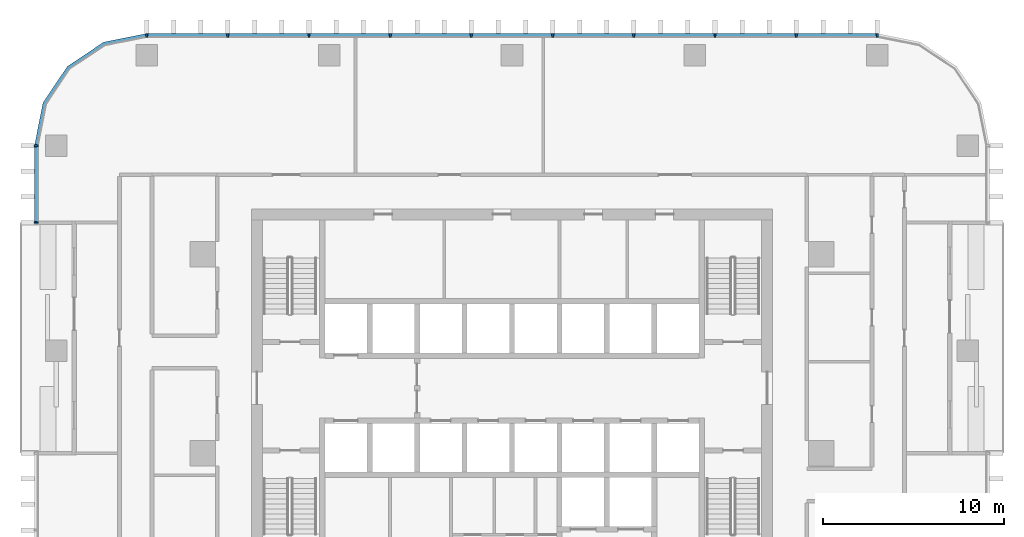
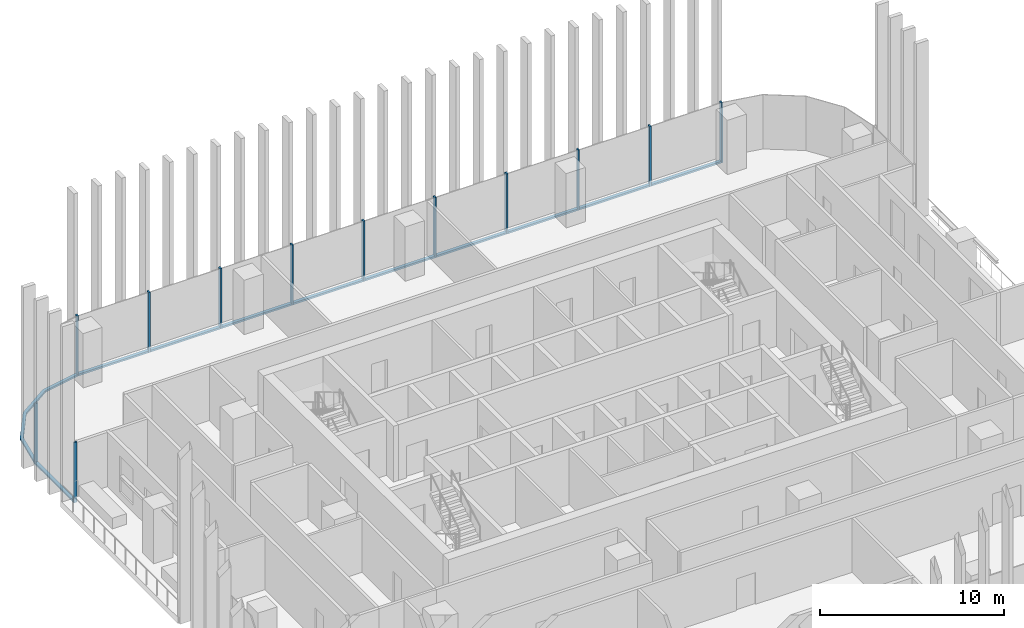
# One storey, part 4 of 15: 23 members, 3 elements without a shape of their own.
"""IFC4 building model written with IfcOpenShell, lengths in metres."""

from ifc_helpers import new_model, si_unit, direction, frame, origin, origin_2d, place, context, subcontext, project, spatial, polyline, rectangle, outline, extrude, material, material_profile, profile_set, type_object, element, aggregate, save


model = new_model("IFC4")

# Units and contexts
model_context = context("Model", 3, precision=1e-05, world=origin(), true_north=direction((0.0, 1.0)))
body_context = subcontext(model_context, "Body", "Model", "MODEL_VIEW")
ifc_project = project(units=[si_unit("LENGTHUNIT", "METRE"), si_unit("AREAUNIT", "SQUARE_METRE"), si_unit("VOLUMEUNIT", "CUBIC_METRE"), si_unit("PLANEANGLEUNIT", "RADIAN"), si_unit("MASSUNIT", "GRAM", prefix="KILO")], contexts=[model_context])

# Site, building, storey
site_placement = place(None, origin())
site = spatial("IfcSite", under=ifc_project, at=site_placement, CompositionType="ELEMENT")
building_placement = place(site_placement, origin())
building = spatial("IfcBuilding", under=site, at=building_placement, Name="Mopane Tessera Tower", CompositionType="ELEMENT")
storey_placement = place(building_placement, frame((0.0, 0.0, 169.0)))
storey = spatial("IfcBuildingStorey", under=building, at=storey_placement, Name="L34", CompositionType="ELEMENT", Elevation=169.0)

# Curtain wall, members
ifc_material_1 = material(Name="Aluminium frame", Category="aluminium")
curtain_wall_type = type_object("IfcCurtainWallType", Name="Unitised curtain wall", PredefinedType="NOTDEFINED", material=ifc_material_1)
curtain_wall_1_placement = place(storey_placement, origin())
curtain_wall_1 = element("IfcCurtainWall", 1, at=curtain_wall_1_placement, inside=storey, type_object=curtain_wall_type, Name="e:cw:L34:N:0", PredefinedType="NOTDEFINED")
ifc_material_2 = material(Name="Aluminium frame", Category="aluminium")
ifc_material_profile_1 = material_profile(ifc_material_2, rectangle(XDim=0.10009765625, YDim=0.199951171875, at=origin_2d()))
ifc_profile_set_1 = profile_set([ifc_material_profile_1], Name="Aluminium frame")
member_type_1 = type_object("IfcMemberType", Name="Aluminium mullion 100 x 200", PredefinedType="MULLION", material=ifc_profile_set_1)
member_1_placement = place(storey_placement, frame((20.199951171875, 23.10009765625, -0.39990234375), z_axis=(0.0, 0.0, 1.0), x_axis=(-1.0, 0.0, 0.0)))
member_1 = element("IfcMember", 2, at=member_1_placement, type_object=member_type_1, Name="e:cw:L34:N:0:mu0", PredefinedType="MULLION", context=body_context, shape_type="SweptSolid", body=[
    extrude(rectangle(XDim=0.10009765625, YDim=0.199951171875, at=origin_2d()), origin(), (0.0, 0.0, 1.0), 4.0),
])
member_2_placement = place(storey_placement, frame((15.711181640625, 23.10009765625, -0.39990234375), z_axis=(0.0, 0.0, 1.0), x_axis=(-1.0, 0.0, 0.0)))
member_2 = element("IfcMember", 3, at=member_2_placement, type_object=member_type_1, Name="e:cw:L34:N:0:mu1", PredefinedType="MULLION", context=body_context, shape_type="SweptSolid", body=[
    extrude(rectangle(XDim=0.10009765625, YDim=0.199951171875, at=origin_2d()), origin(), (0.0, 0.0, 1.0), 4.0),
])
member_3_placement = place(storey_placement, frame((11.22216796875, 23.10009765625, -0.39990234375), z_axis=(0.0, 0.0, 1.0), x_axis=(-1.0, 0.0, 0.0)))
member_3 = element("IfcMember", 4, at=member_3_placement, type_object=member_type_1, Name="e:cw:L34:N:0:mu2", PredefinedType="MULLION", context=body_context, shape_type="SweptSolid", body=[
    extrude(rectangle(XDim=0.10009765625, YDim=0.199951171875, at=origin_2d()), origin(), (0.0, 0.0, 1.0), 4.0),
])
member_4_placement = place(storey_placement, frame((6.7333984375, 23.10009765625, -0.39990234375), z_axis=(0.0, 0.0, 1.0), x_axis=(-1.0, 0.0, 0.0)))
member_4 = element("IfcMember", 5, at=member_4_placement, type_object=member_type_1, Name="e:cw:L34:N:0:mu3", PredefinedType="MULLION", context=body_context, shape_type="SweptSolid", body=[
    extrude(rectangle(XDim=0.10009765625, YDim=0.199951171875, at=origin_2d()), origin(), (0.0, 0.0, 1.0), 4.0),
])
member_5_placement = place(storey_placement, frame((2.244384765625, 23.10009765625, -0.39990234375), z_axis=(0.0, 0.0, 1.0), x_axis=(-1.0, 0.0, 0.0)))
member_5 = element("IfcMember", 6, at=member_5_placement, type_object=member_type_1, Name="e:cw:L34:N:0:mu4", PredefinedType="MULLION", context=body_context, shape_type="SweptSolid", body=[
    extrude(rectangle(XDim=0.10009765625, YDim=0.199951171875, at=origin_2d()), origin(), (0.0, 0.0, 1.0), 4.0),
])
member_6_placement = place(storey_placement, frame((-2.244384765625, 23.10009765625, -0.39990234375), z_axis=(0.0, 0.0, 1.0), x_axis=(-1.0, 0.0, 0.0)))
member_6 = element("IfcMember", 7, at=member_6_placement, type_object=member_type_1, Name="e:cw:L34:N:0:mu5", PredefinedType="MULLION", context=body_context, shape_type="SweptSolid", body=[
    extrude(rectangle(XDim=0.10009765625, YDim=0.199951171875, at=origin_2d()), origin(), (0.0, 0.0, 1.0), 4.0),
])
member_7_placement = place(storey_placement, frame((-6.7333984375, 23.10009765625, -0.39990234375), z_axis=(0.0, 0.0, 1.0), x_axis=(-1.0, 0.0, 0.0)))
member_7 = element("IfcMember", 8, at=member_7_placement, type_object=member_type_1, Name="e:cw:L34:N:0:mu6", PredefinedType="MULLION", context=body_context, shape_type="SweptSolid", body=[
    extrude(rectangle(XDim=0.10009765625, YDim=0.199951171875, at=origin_2d()), origin(), (0.0, 0.0, 1.0), 4.0),
])
member_8_placement = place(storey_placement, frame((-11.22216796875, 23.10009765625, -0.39990234375), z_axis=(0.0, 0.0, 1.0), x_axis=(-1.0, 0.0, 0.0)))
member_8 = element("IfcMember", 9, at=member_8_placement, type_object=member_type_1, Name="e:cw:L34:N:0:mu7", PredefinedType="MULLION", context=body_context, shape_type="SweptSolid", body=[
    extrude(rectangle(XDim=0.10009765625, YDim=0.199951171875, at=origin_2d()), origin(), (0.0, 0.0, 1.0), 4.0),
])
member_9_placement = place(storey_placement, frame((-15.711181640625, 23.10009765625, -0.39990234375), z_axis=(0.0, 0.0, 1.0), x_axis=(-1.0, 0.0, 0.0)))
member_9 = element("IfcMember", 10, at=member_9_placement, type_object=member_type_1, Name="e:cw:L34:N:0:mu8", PredefinedType="MULLION", context=body_context, shape_type="SweptSolid", body=[
    extrude(rectangle(XDim=0.10009765625, YDim=0.199951171875, at=origin_2d()), origin(), (0.0, 0.0, 1.0), 4.0),
])
member_10_placement = place(storey_placement, frame((-20.199951171875, 23.10009765625, -0.39990234375), z_axis=(0.0, 0.0, 1.0), x_axis=(-1.0, 0.0, 0.0)))
member_10 = element("IfcMember", 11, at=member_10_placement, type_object=member_type_1, Name="e:cw:L34:N:0:mu9", PredefinedType="MULLION", context=body_context, shape_type="SweptSolid", body=[
    extrude(rectangle(XDim=0.10009765625, YDim=0.199951171875, at=origin_2d()), origin(), (0.0, 0.0, 1.0), 4.0),
])

curtain_wall_2_placement = place(storey_placement, origin())
curtain_wall_2 = element("IfcCurtainWall", 12, at=curtain_wall_2_placement, inside=storey, type_object=curtain_wall_type, Name="e:cw:L34:W:0", PredefinedType="NOTDEFINED")
member_11_placement = place(storey_placement, frame((-26.300048828125, 17.0, -0.39990234375), z_axis=(0.0, 0.0, 1.0), x_axis=(0.0, -1.0, 0.0)))
member_11 = element("IfcMember", 13, at=member_11_placement, type_object=member_type_1, Name="e:cw:L34:W:0:mu0", PredefinedType="MULLION", context=body_context, shape_type="SweptSolid", body=[
    extrude(rectangle(XDim=0.10009765625, YDim=0.199951171875, at=origin_2d()), origin(), (0.0, 0.0, 1.0), 4.0),
])
member_12_placement = place(storey_placement, frame((-26.300048828125, 12.75, -0.39990234375), z_axis=(0.0, 0.0, 1.0), x_axis=(0.0, -1.0, 0.0)))
member_12 = element("IfcMember", 14, at=member_12_placement, type_object=member_type_1, Name="e:cw:L34:W:0:mu1", PredefinedType="MULLION", context=body_context, shape_type="SweptSolid", body=[
    extrude(rectangle(XDim=0.10009765625, YDim=0.199951171875, at=origin_2d()), origin(), (0.0, 0.0, 1.0), 4.0),
])

# Member
ifc_material_3 = material(Name="Aluminium frame", Category="aluminium")
ifc_material_profile_2 = material_profile(ifc_material_3, rectangle(XDim=0.199951171875, YDim=0.1201171875, at=origin_2d()))
ifc_profile_set_2 = profile_set([ifc_material_profile_2], Name="Aluminium frame")
member_type_2 = type_object("IfcMemberType", Name="Aluminium transom 200 x 120", PredefinedType="USERDEFINED", material=ifc_profile_set_2)
member_13_placement = place(storey_placement, frame((20.14990234375, 23.10009765625, -0.340087890625), z_axis=(-1.0, 0.0, 0.0), x_axis=(0.0, -1.0, 0.0)))
member_13 = element("IfcMember", 15, at=member_13_placement, type_object=member_type_2, Name="e:cw:L34:N:0:tr0", ObjectType="TRANSOM", PredefinedType="USERDEFINED", context=body_context, shape_type="SweptSolid", body=[
    extrude(rectangle(XDim=0.199951171875, YDim=0.1201171875, at=origin_2d()), origin(), (0.0, 0.0, 1.0), 4.388671875),
])

member_14_placement = place(storey_placement, frame((15.6611328125, 23.10009765625, -0.340087890625), z_axis=(-1.0, 0.0, 0.0), x_axis=(0.0, -1.0, 0.0)))
member_14 = element("IfcMember", 16, at=member_14_placement, type_object=member_type_2, Name="e:cw:L34:N:0:tr1", ObjectType="TRANSOM", PredefinedType="USERDEFINED", context=body_context, shape_type="SweptSolid", body=[
    extrude(rectangle(XDim=0.199951171875, YDim=0.1201171875, at=origin_2d()), origin(), (0.0, 0.0, 1.0), 4.388916015625),
])

member_15_placement = place(storey_placement, frame((11.172119140625, 23.10009765625, -0.340087890625), z_axis=(-1.0, 0.0, 0.0), x_axis=(0.0, -1.0, 0.0)))
member_15 = element("IfcMember", 17, at=member_15_placement, type_object=member_type_2, Name="e:cw:L34:N:0:tr2", ObjectType="TRANSOM", PredefinedType="USERDEFINED", context=body_context, shape_type="SweptSolid", body=[
    extrude(rectangle(XDim=0.199951171875, YDim=0.1201171875, at=origin_2d()), origin(), (0.0, 0.0, 1.0), 4.388671875),
])

member_16_placement = place(storey_placement, frame((6.683349609375, 23.10009765625, -0.340087890625), z_axis=(-1.0, 0.0, 0.0), x_axis=(0.0, -1.0, 0.0)))
member_16 = element("IfcMember", 18, at=member_16_placement, type_object=member_type_2, Name="e:cw:L34:N:0:tr3", ObjectType="TRANSOM", PredefinedType="USERDEFINED", context=body_context, shape_type="SweptSolid", body=[
    extrude(rectangle(XDim=0.199951171875, YDim=0.1201171875, at=origin_2d()), origin(), (0.0, 0.0, 1.0), 4.388916015625),
])

member_17_placement = place(storey_placement, frame((2.1943359375, 23.10009765625, -0.340087890625), z_axis=(-1.0, 0.0, 0.0), x_axis=(0.0, -1.0, 0.0)))
member_17 = element("IfcMember", 19, at=member_17_placement, type_object=member_type_2, Name="e:cw:L34:N:0:tr4", ObjectType="TRANSOM", PredefinedType="USERDEFINED", context=body_context, shape_type="SweptSolid", body=[
    extrude(rectangle(XDim=0.199951171875, YDim=0.1201171875, at=origin_2d()), origin(), (0.0, 0.0, 1.0), 4.388671875),
])

member_18_placement = place(storey_placement, frame((-2.29443359375, 23.10009765625, -0.340087890625), z_axis=(-1.0, 0.0, 0.0), x_axis=(0.0, -1.0, 0.0)))
member_18 = element("IfcMember", 20, at=member_18_placement, type_object=member_type_2, Name="e:cw:L34:N:0:tr5", ObjectType="TRANSOM", PredefinedType="USERDEFINED", context=body_context, shape_type="SweptSolid", body=[
    extrude(rectangle(XDim=0.199951171875, YDim=0.1201171875, at=origin_2d()), origin(), (0.0, 0.0, 1.0), 4.388916015625),
])

member_19_placement = place(storey_placement, frame((-6.783447265625, 23.10009765625, -0.340087890625), z_axis=(-1.0, 0.0, 0.0), x_axis=(0.0, -1.0, 0.0)))
member_19 = element("IfcMember", 21, at=member_19_placement, type_object=member_type_2, Name="e:cw:L34:N:0:tr6", ObjectType="TRANSOM", PredefinedType="USERDEFINED", context=body_context, shape_type="SweptSolid", body=[
    extrude(rectangle(XDim=0.199951171875, YDim=0.1201171875, at=origin_2d()), origin(), (0.0, 0.0, 1.0), 4.388671875),
])

member_20_placement = place(storey_placement, frame((-11.272216796875, 23.10009765625, -0.340087890625), z_axis=(-1.0, 0.0, 0.0), x_axis=(0.0, -1.0, 0.0)))
member_20 = element("IfcMember", 22, at=member_20_placement, type_object=member_type_2, Name="e:cw:L34:N:0:tr7", ObjectType="TRANSOM", PredefinedType="USERDEFINED", context=body_context, shape_type="SweptSolid", body=[
    extrude(rectangle(XDim=0.199951171875, YDim=0.1201171875, at=origin_2d()), origin(), (0.0, 0.0, 1.0), 4.388916015625),
])

member_21_placement = place(storey_placement, frame((-15.76123046875, 23.10009765625, -0.340087890625), z_axis=(-1.0, 0.0, 0.0), x_axis=(0.0, -1.0, 0.0)))
member_21 = element("IfcMember", 23, at=member_21_placement, type_object=member_type_2, Name="e:cw:L34:N:0:tr8", ObjectType="TRANSOM", PredefinedType="USERDEFINED", context=body_context, shape_type="SweptSolid", body=[
    extrude(rectangle(XDim=0.199951171875, YDim=0.1201171875, at=origin_2d()), origin(), (0.0, 0.0, 1.0), 4.388671875),
])

aggregate(curtain_wall_1, [member_1, member_2, member_3, member_4, member_5, member_6, member_7, member_8, member_9, member_10, member_13, member_14, member_15, member_16, member_17, member_18, member_19, member_20, member_21])

# Curtain wall, member
curtain_wall_3_placement = place(storey_placement, origin())
curtain_wall_3 = element("IfcCurtainWall", 24, at=curtain_wall_3_placement, inside=storey, type_object=curtain_wall_type, Name="e:cw:L34:CN", PredefinedType="NOTDEFINED")
member_22_placement = place(storey_placement, frame((0.0, 0.0, -0.39990234375)))
member_22 = element("IfcMember", 25, at=member_22_placement, type_object=member_type_2, Name="e:cw:L34:CN:tr", ObjectType="TRANSOM", PredefinedType="USERDEFINED", context=body_context, shape_type="SweptSolid", body=[
    extrude(outline(polyline([(-20.199951171875, 23.0), (-22.49609375, 22.543212890625), (-24.442626953125, 21.24267578125), (-25.7431640625, 19.296142578125), (-26.199951171875, 17.0), (-26.39990234375, 17.0), (-25.927978515625, 19.37255859375), (-24.583984375, 21.384033203125), (-22.57275390625, 22.72802734375), (-20.199951171875, 23.199951171875), (-20.199951171875, 23.0)])), origin(), (0.0, 0.0, 1.0), 0.119873046875),
])
aggregate(curtain_wall_3, [member_22])

# Member
member_23_placement = place(storey_placement, frame((-26.300048828125, 16.949951171875, -0.340087890625), z_axis=(0.0, -1.0, 0.0), x_axis=(1.0, 0.0, 0.0)))
member_23 = element("IfcMember", 26, at=member_23_placement, type_object=member_type_2, Name="e:cw:L34:W:0:tr0", ObjectType="TRANSOM", PredefinedType="USERDEFINED", context=body_context, shape_type="SweptSolid", body=[
    extrude(rectangle(XDim=0.199951171875, YDim=0.1201171875, at=origin_2d()), origin(), (0.0, 0.0, 1.0), 4.14990234375),
])

aggregate(curtain_wall_2, [member_11, member_12, member_23])

save(model, "model.ifc")
